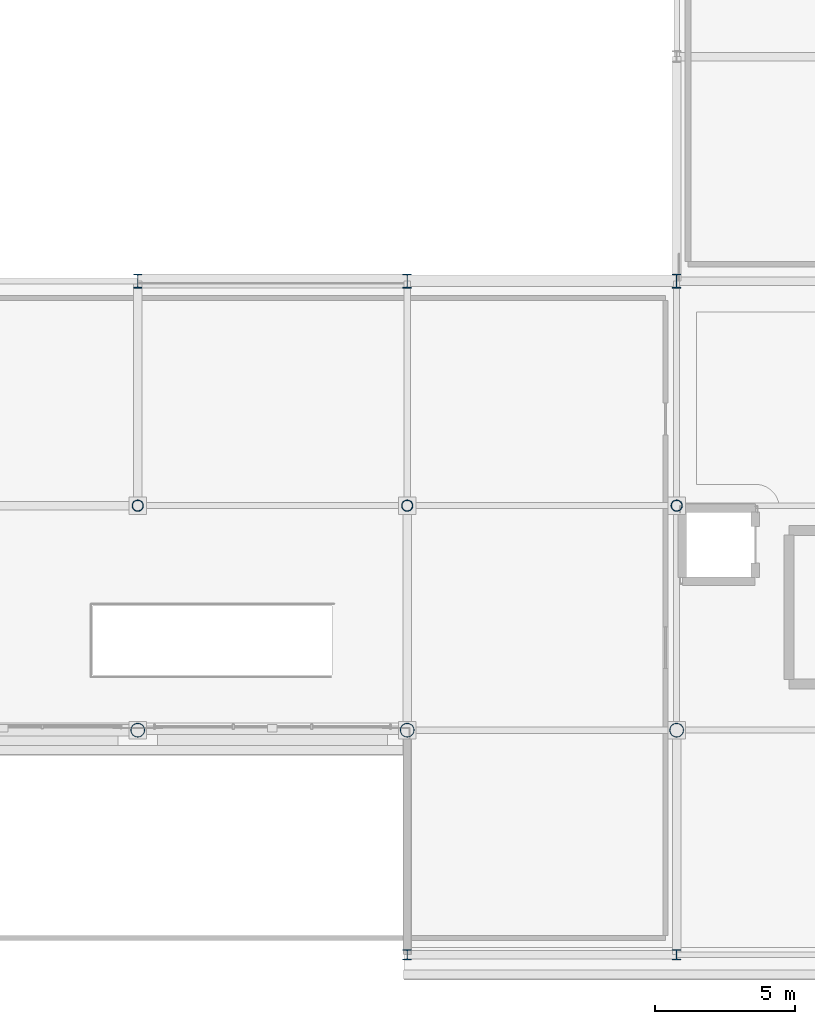
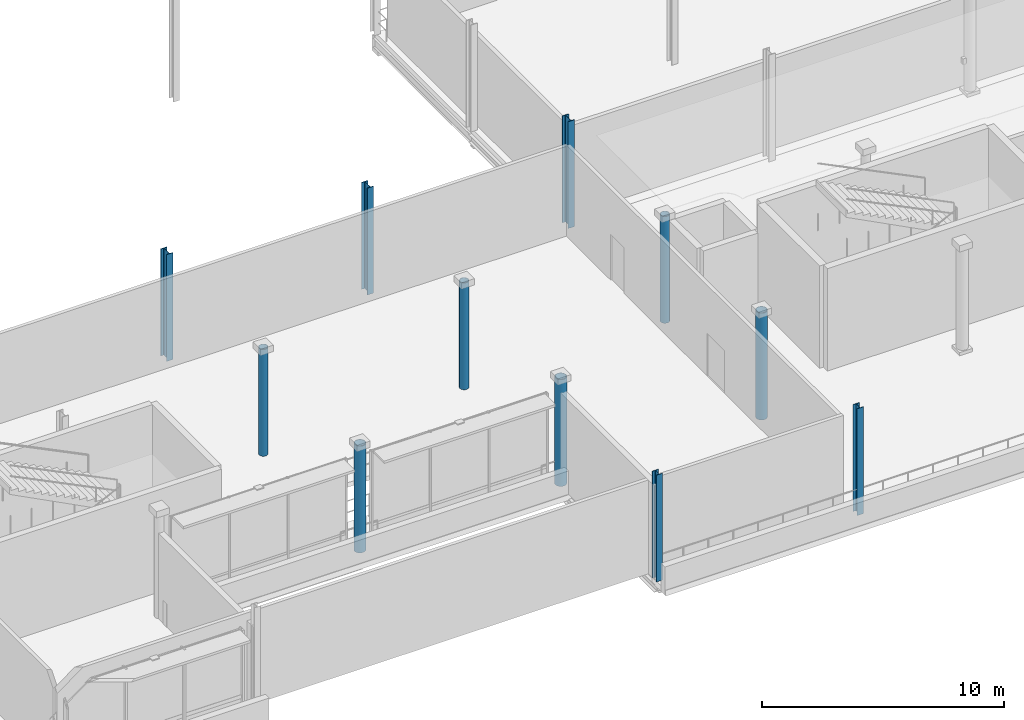
# One storey, part 13 of 129: 11 columns.
"""IFC4 building model written with IfcOpenShell, lengths in metres."""

from ifc_helpers import new_model, si_unit, direction, frame, origin, origin_2d, place, context, subcontext, project, spatial, hollow_circle, i_section, extrude, material, material_profile, profile_set, type_object, element, save


model = new_model("IFC4")

# Units and contexts
model_context = context("Model", 3, precision=1e-05, world=origin(), true_north=direction((0.0, 1.0)))
body_context = subcontext(model_context, "Body", "Model", "MODEL_VIEW")
ifc_project = project(units=[si_unit("LENGTHUNIT", "METRE"), si_unit("AREAUNIT", "SQUARE_METRE"), si_unit("VOLUMEUNIT", "CUBIC_METRE"), si_unit("PLANEANGLEUNIT", "RADIAN"), si_unit("MASSUNIT", "GRAM", prefix="KILO")], contexts=[model_context])

# Site, building, storey
site_placement = place(None, origin())
site = spatial("IfcSite", under=ifc_project, at=site_placement, CompositionType="ELEMENT")
building_placement = place(site_placement, origin())
building = spatial("IfcBuilding", under=site, at=building_placement, Name="Danafjord Basin Convention Centre", CompositionType="ELEMENT")
storey_placement = place(building_placement, frame((0.0, 0.0, 6.0)))
storey = spatial("IfcBuildingStorey", under=building, at=storey_placement, Name="L01", CompositionType="ELEMENT", Elevation=6.0)

# Columns
ifc_material = material(Name="Steel S355", Category="steel")
ifc_material_profile_1 = material_profile(ifc_material, hollow_circle(Radius=0.203125, WallThickness=0.02001953125, at=origin_2d()), Name="CHS 406.4x20.0")
ifc_profile_set_1 = profile_set([ifc_material_profile_1], Name="Steel S355")
column_type_1 = type_object("IfcColumnType", Name="COL-C-CHS406", PredefinedType="COLUMN", material=ifc_profile_set_1)
for number, where, z_axis, x_axis, name in (
    (1, (163.199951171875, 16.0, 0.0), (0.0, 0.0, 1.0), (1.0, 0.0, 0.0), "L01 column C-CHS406 at (163.2, 16.0)"),
    (2, (172.800048828125, 16.0, 0.0), (0.0, 0.0, 1.0), (1.0, 0.0, 0.0), "L01 column C-CHS406 at (172.8, 16.0)"),
    (3, (182.39990234375, 16.0, 0.0), (0.0, 0.0, 1.0), (1.0, 0.0, 0.0), "L01 column C-CHS406 at (182.4, 16.0)"),
):
    element("IfcColumn", number, at=place(storey_placement, frame(where, z_axis=z_axis, x_axis=x_axis)), inside=storey, type_object=column_type_1, Name=name, PredefinedType="COLUMN", context=body_context, shape_type="SweptSolid", body=[
        extrude(hollow_circle(Radius=0.203125, WallThickness=0.02001953125, at=origin_2d()), origin(), (0.0, 0.0, 1.0), 5.39990234375),
    ])
ifc_material_profile_2 = material_profile(ifc_material, hollow_circle(Radius=0.25390625, WallThickness=0.02490234375, at=origin_2d()), Name="CHS 508.0x25.0")
ifc_profile_set_2 = profile_set([ifc_material_profile_2], Name="Steel S355")
column_type_2 = type_object("IfcColumnType", Name="COL-C-CHS508", PredefinedType="COLUMN", material=ifc_profile_set_2)
for number, where, z_axis, x_axis, name in (
    (4, (163.199951171875, 8.0, 0.0), (0.0, 0.0, 1.0), (1.0, 0.0, 0.0), "L01 column C-CHS508 at (163.2, 8.0)"),
    (5, (172.800048828125, 8.0, 0.0), (0.0, 0.0, 1.0), (1.0, 0.0, 0.0), "L01 column C-CHS508 at (172.8, 8.0)"),
    (6, (182.39990234375, 8.0, 0.0), (0.0, 0.0, 1.0), (1.0, 0.0, 0.0), "L01 column C-CHS508 at (182.4, 8.0)"),
):
    element("IfcColumn", number, at=place(storey_placement, frame(where, z_axis=z_axis, x_axis=x_axis)), inside=storey, type_object=column_type_2, Name=name, PredefinedType="COLUMN", context=body_context, shape_type="SweptSolid", body=[
        extrude(hollow_circle(Radius=0.25390625, WallThickness=0.02490234375, at=origin_2d()), origin(), (0.0, 0.0, 1.0), 5.39990234375),
    ])
ifc_material_profile_3 = material_profile(ifc_material, i_section(OverallWidth=0.300048828125, OverallDepth=0.360107421875, WebThickness=0.012451171875, FlangeThickness=0.0224609375, FilletRadius=0.027099609375, at=origin_2d()), Name="HEB 360")
ifc_profile_set_3 = profile_set([ifc_material_profile_3], Name="Steel S355")
column_type_3 = type_object("IfcColumnType", Name="COL-C-HEB360", PredefinedType="COLUMN", material=ifc_profile_set_3)
for number, where, z_axis, x_axis, name in (
    (7, (172.800048828125, 0.0, 0.0), (0.0, 0.0, 1.0), (1.0, 0.0, 0.0), "L01 column C-HEB360 at (172.8, 0.0)"),
    (8, (182.39990234375, 0.0, 0.0), (0.0, 0.0, 1.0), (1.0, 0.0, 0.0), "L01 column C-HEB360 at (182.4, 0.0)"),
):
    element("IfcColumn", number, at=place(storey_placement, frame(where, z_axis=z_axis, x_axis=x_axis)), inside=storey, type_object=column_type_3, Name=name, PredefinedType="COLUMN", context=body_context, shape_type="SweptSolid", body=[
        extrude(i_section(OverallWidth=0.300048828125, OverallDepth=0.360107421875, WebThickness=0.012451171875, FlangeThickness=0.0224609375, FilletRadius=0.027099609375, at=origin_2d()), origin(), (0.0, 0.0, 1.0), 5.39990234375),
    ])
ifc_material_profile_4 = material_profile(ifc_material, i_section(OverallWidth=0.300048828125, OverallDepth=0.5, WebThickness=0.014404296875, FlangeThickness=0.028076171875, FilletRadius=0.027099609375, at=origin_2d()), Name="HEB 500")
ifc_profile_set_4 = profile_set([ifc_material_profile_4], Name="Steel S355")
column_type_4 = type_object("IfcColumnType", Name="COL-C-HEB500", PredefinedType="COLUMN", material=ifc_profile_set_4)
for number, where, z_axis, x_axis, name in (
    (9, (163.199951171875, 24.0, 0.0), (0.0, 0.0, 1.0), (1.0, 0.0, 0.0), "L01 column C-HEB500 at (163.2, 24.0)"),
    (10, (172.800048828125, 24.0, 0.0), (0.0, 0.0, 1.0), (1.0, 0.0, 0.0), "L01 column C-HEB500 at (172.8, 24.0)"),
    (11, (182.39990234375, 24.0, 0.0), (0.0, 0.0, 1.0), (1.0, 0.0, 0.0), "L01 column C-HEB500 at (182.4, 24.0)"),
):
    element("IfcColumn", number, at=place(storey_placement, frame(where, z_axis=z_axis, x_axis=x_axis)), inside=storey, type_object=column_type_4, Name=name, PredefinedType="COLUMN", context=body_context, shape_type="SweptSolid", body=[
        extrude(i_section(OverallWidth=0.300048828125, OverallDepth=0.5, WebThickness=0.014404296875, FlangeThickness=0.028076171875, FilletRadius=0.027099609375, at=origin_2d()), origin(), (0.0, 0.0, 1.0), 5.39990234375),
    ])

save(model, "model.ifc")
